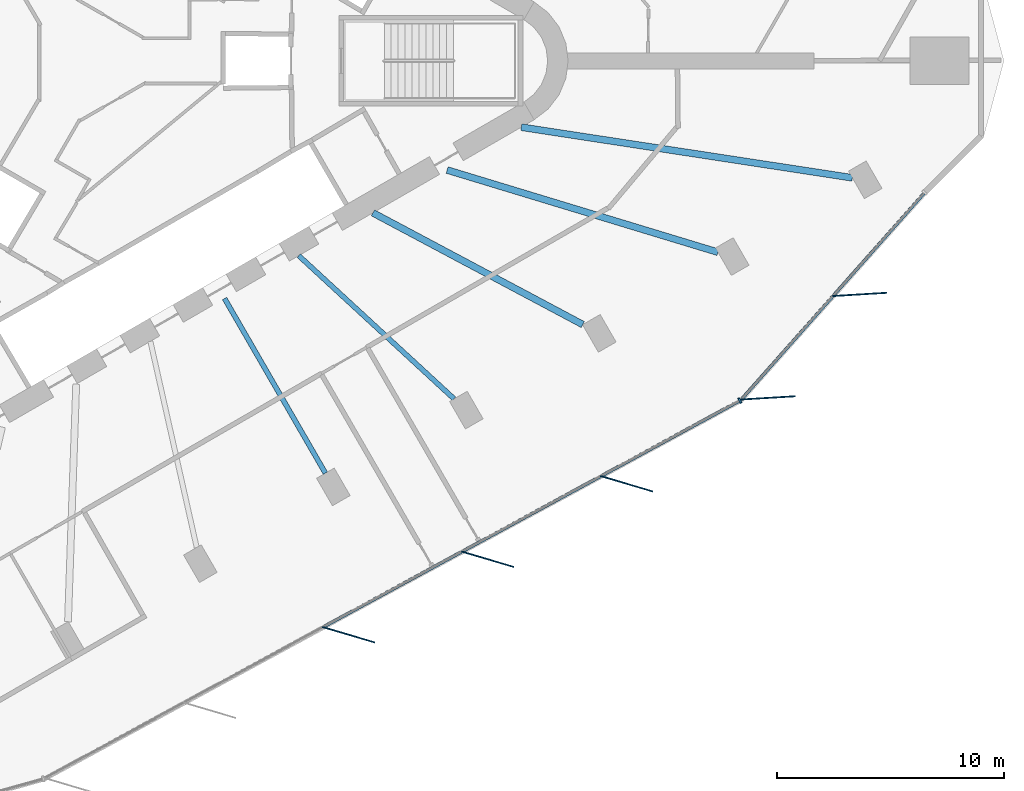
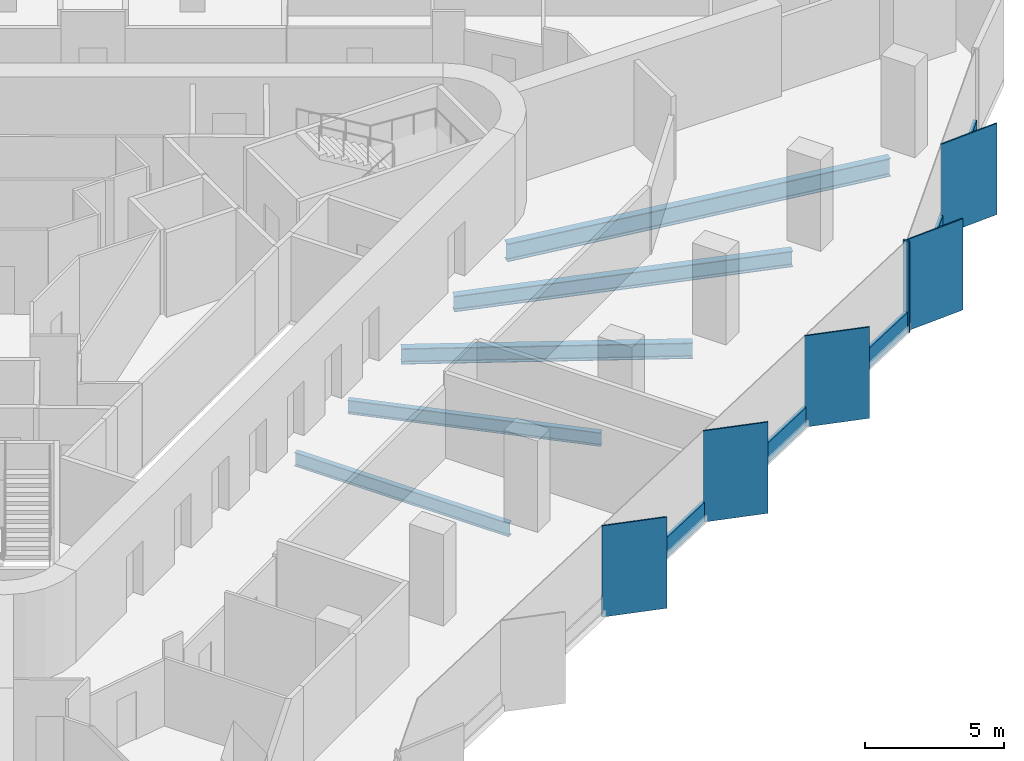
# One storey, part 3 of 14: 11 members, 5 beams, 2 elements without a shape of their own.
"""IFC4 building model written with IfcOpenShell, lengths in metres."""

from ifc_helpers import new_model, si_unit, direction, frame, origin, origin_2d, place, context, subcontext, project, spatial, rectangle, i_section, extrude, material, material_profile, profile_set, type_object, element, aggregate, save


model = new_model("IFC4")

# Units and contexts
model_context = context("Model", 3, precision=1e-05, world=origin(), true_north=direction((0.0, 1.0)))
body_context = subcontext(model_context, "Body", "Model", "MODEL_VIEW")
ifc_project = project(units=[si_unit("LENGTHUNIT", "METRE"), si_unit("AREAUNIT", "SQUARE_METRE"), si_unit("VOLUMEUNIT", "CUBIC_METRE"), si_unit("PLANEANGLEUNIT", "RADIAN"), si_unit("MASSUNIT", "GRAM", prefix="KILO")], contexts=[model_context])

# Site, building, storey
site_placement = place(None, origin())
site = spatial("IfcSite", under=ifc_project, at=site_placement, CompositionType="ELEMENT")
building_placement = place(site_placement, origin())
building = spatial("IfcBuilding", under=site, at=building_placement, Name="Tanit Gate Tower", CompositionType="ELEMENT")
storey_placement = place(building_placement, frame((0.0, 0.0, 249.199951171875)))
storey = spatial("IfcBuildingStorey", under=building, at=storey_placement, Name="L56", CompositionType="ELEMENT", Elevation=249.199951171875)

# Curtain wall, members
ifc_material_1 = material(Name="Aluminium bronze anodised and glass", Category="aluminium")
curtain_wall_type = type_object("IfcCurtainWallType", Name="Curtain wall typical mid", PredefinedType="NOTDEFINED", material=ifc_material_1)
curtain_wall_1_placement = place(storey_placement, origin())
curtain_wall_1 = element("IfcCurtainWall", 1, at=curtain_wall_1_placement, inside=storey, type_object=curtain_wall_type, Name="Curtain wall L56 SE2", PredefinedType="NOTDEFINED")
ifc_material_2 = material(Name="Aluminium bronze anodised", Category="aluminium")
ifc_material_profile_1 = material_profile(ifc_material_2, rectangle(XDim=2.39990234375, YDim=0.055908203125, at=origin_2d()), Name="56x2400 bronze fin mullion")
ifc_profile_set_1 = profile_set([ifc_material_profile_1], Name="Aluminium bronze anodised")
member_type_1 = type_object("IfcMemberType", Name="FIN MULLION 56x2400 bronze", PredefinedType="MULLION", material=ifc_profile_set_1)
member_1_placement = place(storey_placement, frame((11.52099609375, -25.304931640625, -0.300048828125), z_axis=(0.0, 0.0, 1.0), x_axis=(-0.958891574692, 0.28377270479, 0.0)))
member_1 = element("IfcMember", 2, at=member_1_placement, type_object=member_type_1, Name="Fin mullion L56 SE2.3", PredefinedType="MULLION", context=body_context, shape_type="SweptSolid", body=[
    extrude(rectangle(XDim=2.39990234375, YDim=0.055908203125, at=origin_2d()), origin(), (0.0, 0.0, 1.0), 4.0),
])
member_2_placement = place(storey_placement, frame((17.649169921875, -21.9755859375, -0.300048828125), z_axis=(0.0, 0.0, 1.0), x_axis=(-0.958891574692, 0.28377270479, 0.0)))
member_2 = element("IfcMember", 3, at=member_2_placement, type_object=member_type_1, Name="Fin mullion L56 SE2.4", PredefinedType="MULLION", context=body_context, shape_type="SweptSolid", body=[
    extrude(rectangle(XDim=2.39990234375, YDim=0.055908203125, at=origin_2d()), origin(), (0.0, 0.0, 1.0), 4.0),
])
member_3_placement = place(storey_placement, frame((23.77734375, -18.646240234375, -0.300048828125), z_axis=(0.0, 0.0, 1.0), x_axis=(-0.958891574692, 0.28377270479, 0.0)))
member_3 = element("IfcMember", 4, at=member_3_placement, type_object=member_type_1, Name="Fin mullion L56 SE2.5", PredefinedType="MULLION", context=body_context, shape_type="SweptSolid", body=[
    extrude(rectangle(XDim=2.39990234375, YDim=0.055908203125, at=origin_2d()), origin(), (0.0, 0.0, 1.0), 4.0),
])

curtain_wall_2_placement = place(storey_placement, origin())
curtain_wall_2 = element("IfcCurtainWall", 5, at=curtain_wall_2_placement, inside=storey, type_object=curtain_wall_type, Name="Curtain wall L56 SE3", PredefinedType="NOTDEFINED")
member_4_placement = place(storey_placement, frame((30.013427734375, -14.8623046875, -0.300048828125), z_axis=(0.0, 0.0, 1.0), x_axis=(-0.998180025714, -0.060304529394, 0.0)))
member_4 = element("IfcMember", 6, at=member_4_placement, type_object=member_type_1, Name="Fin mullion L56 SE3.1", PredefinedType="MULLION", context=body_context, shape_type="SweptSolid", body=[
    extrude(rectangle(XDim=2.39990234375, YDim=0.055908203125, at=origin_2d()), origin(), (0.0, 0.0, 1.0), 4.0),
])
member_5_placement = place(storey_placement, frame((34.05615234375, -10.299560546875, -0.300048828125), z_axis=(0.0, 0.0, 1.0), x_axis=(-0.998180025714, -0.060304529394, 0.0)))
member_5 = element("IfcMember", 7, at=member_5_placement, type_object=member_type_1, Name="Fin mullion L56 SE3.2", PredefinedType="MULLION", context=body_context, shape_type="SweptSolid", body=[
    extrude(rectangle(XDim=2.39990234375, YDim=0.055908203125, at=origin_2d()), origin(), (0.0, 0.0, 1.0), 4.0),
])

# Member
ifc_material_3 = material(Name="Aluminium bronze anodised", Category="aluminium")
ifc_material_profile_2 = material_profile(ifc_material_3, rectangle(XDim=0.260009765625, YDim=0.080078125, at=origin_2d()), Name="80x260 bronze mullion")
ifc_profile_set_2 = profile_set([ifc_material_profile_2], Name="Aluminium bronze anodised")
member_type_2 = type_object("IfcMemberType", Name="Mullion 80x260 typical mid", PredefinedType="MULLION", material=ifc_profile_set_2)
member_6_placement = place(storey_placement, frame((28.775146484375, -14.982421875, -0.300048828125), z_axis=(0.0, 0.0, 1.0), x_axis=(-0.477381131015, 0.87869633876, 0.0)))
member_6 = element("IfcMember", 8, at=member_6_placement, type_object=member_type_2, Name="Mullion L56 SE2.6", PredefinedType="MULLION", context=body_context, shape_type="SweptSolid", body=[
    extrude(rectangle(XDim=0.260009765625, YDim=0.080078125, at=origin_2d()), origin(), (0.0, 0.0, 1.0), 4.0),
])

# Beams
ifc_material_4 = material(Name="Steel S355", Category="steel")
ifc_material_profile_3 = material_profile(ifc_material_4, i_section(OverallWidth=0.300048828125, OverallDepth=0.68994140625, WebThickness=0.014404296875, FlangeThickness=0.027099609375, FilletRadius=0.027099609375, at=origin_2d()), Name="HEA 700")
ifc_profile_set_3 = profile_set([ifc_material_profile_3], Name="Steel S355")
beam_type_1 = type_object("IfcBeamType", Name="RADIAL GIRDER HEA 700 S355", PredefinedType="BEAM", material=ifc_profile_set_3)
beam_1_placement = place(storey_placement, frame((21.845947265625, -11.628173828125, -0.64501953125), z_axis=(-0.882742084466, 0.469857863947, 0.0), x_axis=(-0.469857863947, -0.882742084466, 0.0)))
element("IfcBeam", 9, at=beam_1_placement, inside=storey, type_object=beam_type_1, Name="RADIAL GIRDER", PredefinedType="BEAM", context=body_context, shape_type="SweptSolid", body=[
    extrude(i_section(OverallWidth=0.300048828125, OverallDepth=0.68994140625, WebThickness=0.014404296875, FlangeThickness=0.027099609375, FilletRadius=0.027099609375, at=origin_2d()), origin(), (0.0, 0.0, 1.0), 10.4814453125),
])
beam_2_placement = place(storey_placement, frame((27.80810546875, -8.439208984375, -0.64501953125), z_axis=(-0.956906204487, 0.290397169089, 0.0), x_axis=(-0.290397169089, -0.956906204487, 0.0)))
element("IfcBeam", 10, at=beam_2_placement, inside=storey, type_object=beam_type_1, Name="RADIAL GIRDER", PredefinedType="BEAM", context=body_context, shape_type="SweptSolid", body=[
    extrude(i_section(OverallWidth=0.300048828125, OverallDepth=0.68994140625, WebThickness=0.014404296875, FlangeThickness=0.027099609375, FilletRadius=0.027099609375, at=origin_2d()), origin(), (0.0, 0.0, 1.0), 12.481201171875),
])
ifc_material_5 = material(Name="Steel S355", Category="steel")
ifc_material_profile_4 = material_profile(ifc_material_5, i_section(OverallWidth=0.300048828125, OverallDepth=0.7900390625, WebThickness=0.014892578125, FlangeThickness=0.028076171875, FilletRadius=0.030029296875, at=origin_2d()), Name="HEA 800")
ifc_profile_set_4 = profile_set([ifc_material_profile_4], Name="Steel S355")
beam_type_2 = type_object("IfcBeamType", Name="RADIAL GIRDER HEA 800 S355", PredefinedType="BEAM", material=ifc_profile_set_4)
beam_3_placement = place(storey_placement, frame((33.732177734375, -5.157958984375, -0.695068359375), z_axis=(-0.988510058129, 0.151155102389, 0.0), x_axis=(-0.151155102389, -0.988510058129, 0.0)))
element("IfcBeam", 11, at=beam_3_placement, inside=storey, type_object=beam_type_2, Name="RADIAL GIRDER", PredefinedType="BEAM", context=body_context, shape_type="SweptSolid", body=[
    extrude(i_section(OverallWidth=0.300048828125, OverallDepth=0.7900390625, WebThickness=0.014892578125, FlangeThickness=0.028076171875, FilletRadius=0.030029296875, at=origin_2d()), origin(), (0.0, 0.0, 1.0), 14.765869140625),
])
ifc_material_6 = material(Name="Steel S355", Category="steel")
ifc_material_profile_5 = material_profile(ifc_material_6, i_section(OverallWidth=0.219970703125, OverallDepth=0.60009765625, WebThickness=0.011962890625, FlangeThickness=0.01904296875, FilletRadius=0.02392578125, at=origin_2d()), Name="IPE 600")
ifc_profile_set_5 = profile_set([ifc_material_profile_5], Name="Steel S355")
beam_type_3 = type_object("IfcBeamType", Name="RADIAL GIRDER IPE 600 S355", PredefinedType="BEAM", material=ifc_profile_set_5)
beam_4_placement = place(storey_placement, frame((10.49658203125, -18.1806640625, -0.599853515625), z_axis=(-0.499998967409, 0.866025999951, 0.0), x_axis=(-0.866025999951, -0.499998967409, 0.0)))
element("IfcBeam", 12, at=beam_4_placement, inside=storey, type_object=beam_type_3, Name="RADIAL GIRDER", PredefinedType="BEAM", context=body_context, shape_type="SweptSolid", body=[
    extrude(i_section(OverallWidth=0.219970703125, OverallDepth=0.60009765625, WebThickness=0.011962890625, FlangeThickness=0.01904296875, FilletRadius=0.02392578125, at=origin_2d()), origin(), (0.0, 0.0, 1.0), 8.89111328125),
])
beam_5_placement = place(storey_placement, frame((16.17138671875, -14.904296875, -0.599853515625), z_axis=(-0.735338835574, 0.677699636193, 0.0), x_axis=(-0.677699636193, -0.735338835574, 0.0)))
element("IfcBeam", 13, at=beam_5_placement, inside=storey, type_object=beam_type_3, Name="RADIAL GIRDER", PredefinedType="BEAM", context=body_context, shape_type="SweptSolid", body=[
    extrude(i_section(OverallWidth=0.219970703125, OverallDepth=0.60009765625, WebThickness=0.011962890625, FlangeThickness=0.01904296875, FilletRadius=0.02392578125, at=origin_2d()), origin(), (0.0, 0.0, 1.0), 9.314208984375),
])

# Member
ifc_material_7 = material(Name="Aluminium bronze anodised", Category="aluminium")
ifc_material_profile_6 = material_profile(ifc_material_7, rectangle(XDim=0.139892578125, YDim=0.89990234375, at=origin_2d()), Name="140x900 bronze transom")
ifc_profile_set_6 = profile_set([ifc_material_profile_6], Name="Aluminium bronze anodised")
member_type_3 = type_object("IfcMemberType", Name="Transom 140x900 typical mid", PredefinedType="USERDEFINED", material=ifc_profile_set_6)
member_7_placement = place(storey_placement, frame((10.42578125, -24.951171875, 0.150146484375), z_axis=(0.878703630976, 0.47736770828, 0.0), x_axis=(-0.47736770828, 0.878703630976, 0.0)))
member_7 = element("IfcMember", 14, at=member_7_placement, type_object=member_type_3, Name="Transom L56 SE2.3", ObjectType="TRANSOM", PredefinedType="USERDEFINED", context=body_context, shape_type="SweptSolid", body=[
    extrude(rectangle(XDim=0.139892578125, YDim=0.89990234375, at=origin_2d()), origin(), (0.0, 0.0, 1.0), 6.89404296875),
])

member_8_placement = place(storey_placement, frame((16.553955078125, -21.621826171875, 0.150146484375), z_axis=(0.878703630976, 0.47736770828, 0.0), x_axis=(-0.47736770828, 0.878703630976, 0.0)))
member_8 = element("IfcMember", 15, at=member_8_placement, type_object=member_type_3, Name="Transom L56 SE2.4", ObjectType="TRANSOM", PredefinedType="USERDEFINED", context=body_context, shape_type="SweptSolid", body=[
    extrude(rectangle(XDim=0.139892578125, YDim=0.89990234375, at=origin_2d()), origin(), (0.0, 0.0, 1.0), 6.89404296875),
])

member_9_placement = place(storey_placement, frame((22.68212890625, -18.292724609375, 0.150146484375), z_axis=(0.878680705198, 0.477409905964, 0.0), x_axis=(-0.477409905964, 0.878680705198, 0.0)))
member_9 = element("IfcMember", 16, at=member_9_placement, type_object=member_type_3, Name="Transom L56 SE2.5", ObjectType="TRANSOM", PredefinedType="USERDEFINED", context=body_context, shape_type="SweptSolid", body=[
    extrude(rectangle(XDim=0.139892578125, YDim=0.89990234375, at=origin_2d()), origin(), (0.0, 0.0, 1.0), 6.89404296875),
])

aggregate(curtain_wall_1, [member_1, member_2, member_3, member_6, member_7, member_8, member_9])

member_10_placement = place(storey_placement, frame((28.86328125, -14.903564453125, 0.150146484375), z_axis=(0.66316908032, 0.748469619228, 0.0), x_axis=(-0.748469619228, 0.66316908032, 0.0)))
member_10 = element("IfcMember", 17, at=member_10_placement, type_object=member_type_3, Name="Transom L56 SE3.1", ObjectType="TRANSOM", PredefinedType="USERDEFINED", context=body_context, shape_type="SweptSolid", body=[
    extrude(rectangle(XDim=0.139892578125, YDim=0.89990234375, at=origin_2d()), origin(), (0.0, 0.0, 1.0), 6.01611328125),
])

member_11_placement = place(storey_placement, frame((32.906005859375, -10.3408203125, 0.150146484375), z_axis=(0.663171671034, 0.748467323761, 0.0), x_axis=(-0.748467323761, 0.663171671034, 0.0)))
member_11 = element("IfcMember", 18, at=member_11_placement, type_object=member_type_3, Name="Transom L56 SE3.2", ObjectType="TRANSOM", PredefinedType="USERDEFINED", context=body_context, shape_type="SweptSolid", body=[
    extrude(rectangle(XDim=0.139892578125, YDim=0.89990234375, at=origin_2d()), origin(), (0.0, 0.0, 1.0), 6.0166015625),
])

aggregate(curtain_wall_2, [member_4, member_5, member_10, member_11])

save(model, "model.ifc")
